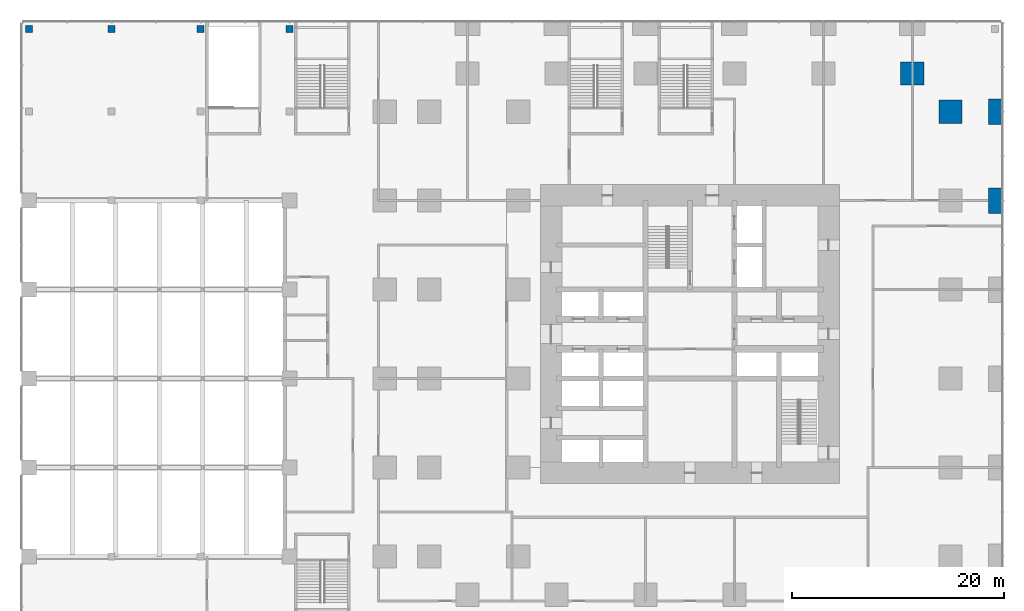
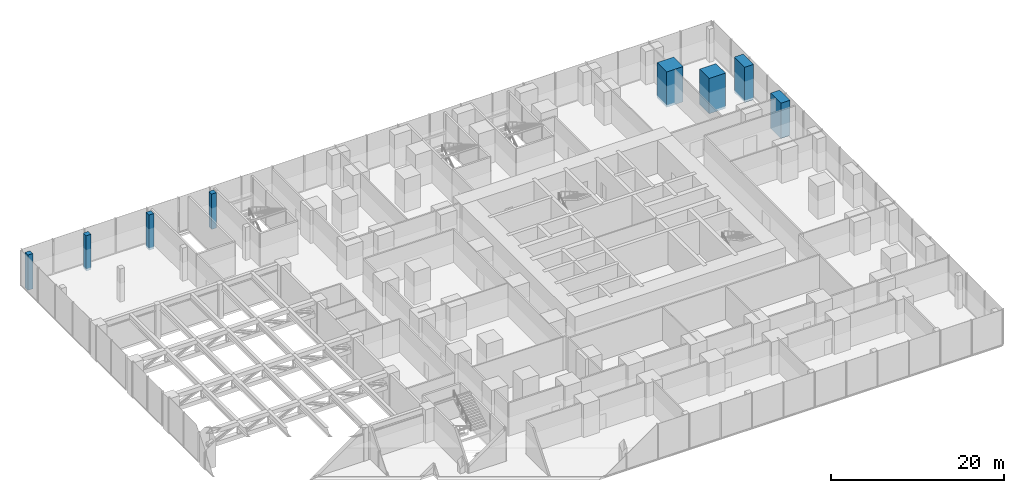
# One storey, part 11 of 33: 8 columns.
"""IFC4 building model written with IfcOpenShell, lengths in metres."""

from ifc_helpers import new_model, si_unit, direction, frame, origin, origin_2d, place, context, subcontext, project, spatial, rectangle, extrude, material, material_profile, profile_set, type_object, element, save


model = new_model("IFC4")

# Units and contexts
model_context = context("Model", 3, precision=1e-05, world=origin(), true_north=direction((0.0, 1.0)))
body_context = subcontext(model_context, "Body", "Model", "MODEL_VIEW")
ifc_project = project(units=[si_unit("LENGTHUNIT", "METRE"), si_unit("AREAUNIT", "SQUARE_METRE"), si_unit("VOLUMEUNIT", "CUBIC_METRE"), si_unit("PLANEANGLEUNIT", "RADIAN"), si_unit("MASSUNIT", "GRAM", prefix="KILO")], contexts=[model_context])

# Site, building, storey
site_placement = place(None, origin())
site = spatial("IfcSite", under=ifc_project, at=site_placement, CompositionType="ELEMENT")
building_placement = place(site_placement, origin())
building = spatial("IfcBuilding", under=site, at=building_placement, Name="Dunama Terrace Hotel", CompositionType="ELEMENT")
storey_placement = place(building_placement, frame((0.0, 0.0, 12.0)))
storey = spatial("IfcBuildingStorey", under=building, at=storey_placement, Name="L02", CompositionType="ELEMENT", Elevation=12.0)

# Columns
ifc_material_1 = material(Name="Concrete C60/75", Category="concrete")
ifc_material_profile_1 = material_profile(ifc_material_1, rectangle(XDim=1.199951171875, YDim=2.39990234375, at=origin_2d()), Name="RC 1200x2400")
ifc_profile_set_1 = profile_set([ifc_material_profile_1], Name="Concrete C60/75")
column_type_1 = type_object("IfcColumnType", Name="Column RC 1200x2400", PredefinedType="COLUMN", material=ifc_profile_set_1)
for number, where, z_axis, x_axis, name in (
    (1, (58.199951171875, 42.0, -0.300048828125), (0.0, 0.0, 1.0), (1.0, 0.0, 0.0), "Column L02 +58.2/+42.0"),
    (2, (58.199951171875, 50.39990234375, -0.300048828125), (0.0, 0.0, 1.0), (1.0, 0.0, 0.0), "Column L02 +58.2/+50.4"),
):
    element("IfcColumn", number, at=place(storey_placement, frame(where, z_axis=z_axis, x_axis=x_axis)), inside=storey, type_object=column_type_1, Name=name, PredefinedType="COLUMN", context=body_context, shape_type="SweptSolid", body=[
        extrude(rectangle(XDim=1.199951171875, YDim=2.39990234375, at=origin_2d()), origin(), (0.0, 0.0, 1.0), 5.0),
    ])
ifc_material_2 = material(Name="Concrete C60/75", Category="concrete")
ifc_material_profile_2 = material_profile(ifc_material_2, rectangle(XDim=2.199951171875, YDim=2.199951171875, at=origin_2d()), Name="RC 2200x2200")
ifc_profile_set_2 = profile_set([ifc_material_profile_2], Name="Concrete C60/75")
column_type_2 = type_object("IfcColumnType", Name="Column RC 2200x2200", PredefinedType="COLUMN", material=ifc_profile_set_2)
for number, where, z_axis, x_axis, name in (
    (3, (50.39990234375, 54.0, -0.300048828125), (0.0, 0.0, 1.0), (1.0, 0.0, 0.0), "Column L02 +50.4/+54.0"),
    (4, (54.0, 50.39990234375, -0.300048828125), (0.0, 0.0, 1.0), (1.0, 0.0, 0.0), "Column L02 +54.0/+50.4"),
):
    element("IfcColumn", number, at=place(storey_placement, frame(where, z_axis=z_axis, x_axis=x_axis)), inside=storey, type_object=column_type_2, Name=name, PredefinedType="COLUMN", context=body_context, shape_type="SweptSolid", body=[
        extrude(rectangle(XDim=2.199951171875, YDim=2.199951171875, at=origin_2d()), origin(), (0.0, 0.0, 1.0), 5.0),
    ])
ifc_material_3 = material(Name="Concrete C40/50", Category="concrete")
ifc_material_profile_3 = material_profile(ifc_material_3, rectangle(XDim=0.64990234375, YDim=0.64990234375, at=origin_2d()), Name="RC 650x650")
ifc_profile_set_3 = profile_set([ifc_material_profile_3], Name="Concrete C40/50")
column_type_3 = type_object("IfcColumnType", Name="Column RC 650x650", PredefinedType="COLUMN", material=ifc_profile_set_3)
for number, where, z_axis, x_axis, name in (
    (5, (-33.0, 58.199951171875, -0.300048828125), (0.0, 0.0, 1.0), (1.0, 0.0, 0.0), "Column L02 -33.0/+58.2"),
    (6, (-25.199951171875, 58.199951171875, -0.300048828125), (0.0, 0.0, 1.0), (1.0, 0.0, 0.0), "Column L02 -25.2/+58.2"),
    (7, (-16.800048828125, 58.199951171875, -0.300048828125), (0.0, 0.0, 1.0), (1.0, 0.0, 0.0), "Column L02 -16.8/+58.2"),
    (8, (-8.39990234375, 58.199951171875, -0.300048828125), (0.0, 0.0, 1.0), (1.0, 0.0, 0.0), "Column L02 -8.4/+58.2"),
):
    element("IfcColumn", number, at=place(storey_placement, frame(where, z_axis=z_axis, x_axis=x_axis)), inside=storey, type_object=column_type_3, Name=name, PredefinedType="COLUMN", context=body_context, shape_type="SweptSolid", body=[
        extrude(rectangle(XDim=0.64990234375, YDim=0.64990234375, at=origin_2d()), origin(), (0.0, 0.0, 1.0), 5.0),
    ])

save(model, "model.ifc")
